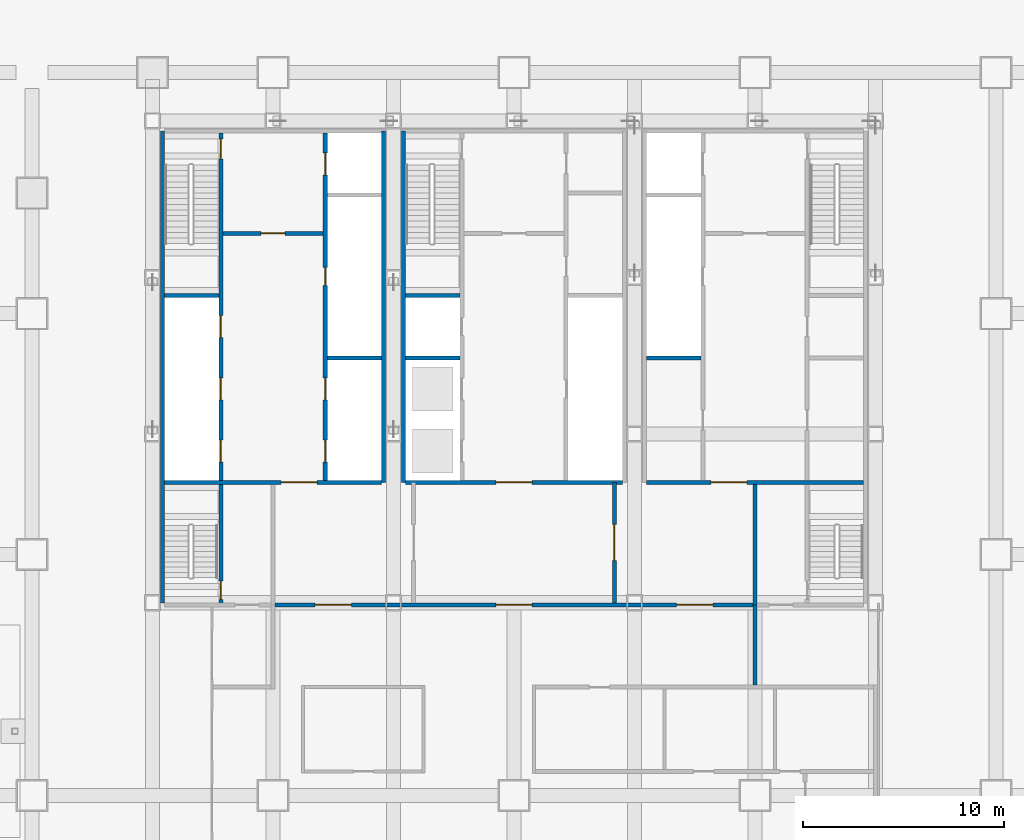
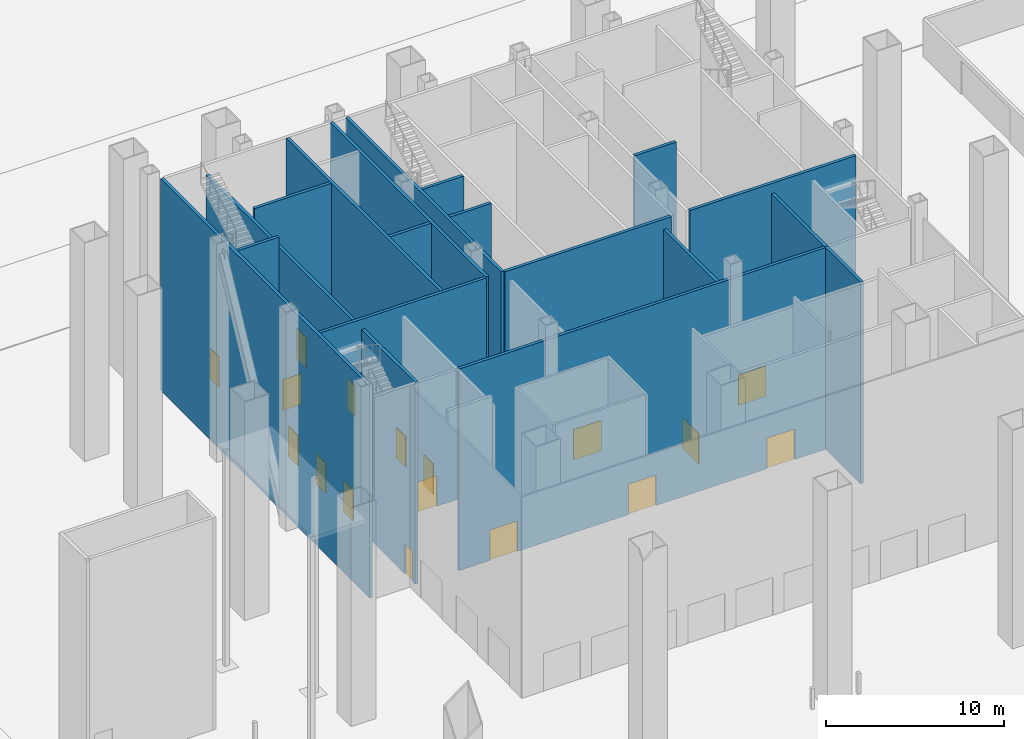
# One storey, part 7 of 22: 18 walls, 17 doors, 17 openings.
"""IFC4 building model written with IfcOpenShell, lengths in metres."""

from ifc_helpers import new_model, si_unit, direction, frame, frame_2d, origin, place, context, subcontext, project, spatial, rectangle, extrude, material, layer, layer_set, type_object, element, fill, save


model = new_model("IFC4")

# Units and contexts
model_context = context("Model", 3, precision=1e-05, world=origin(), true_north=direction((0.0, 1.0)))
body_context = subcontext(model_context, "Body", "Model", "MODEL_VIEW")
ifc_project = project(units=[si_unit("LENGTHUNIT", "METRE"), si_unit("AREAUNIT", "SQUARE_METRE"), si_unit("VOLUMEUNIT", "CUBIC_METRE"), si_unit("PLANEANGLEUNIT", "RADIAN"), si_unit("MASSUNIT", "GRAM", prefix="KILO")], contexts=[model_context])

# Site, building, storey
site_placement = place(None, origin())
site = spatial("IfcSite", under=ifc_project, at=site_placement, CompositionType="ELEMENT")
building_placement = place(site_placement, origin())
building = spatial("IfcBuilding", under=site, at=building_placement, Name="Sorahane Residences", CompositionType="ELEMENT")
storey_placement = place(building_placement, origin())
storey = spatial("IfcBuildingStorey", under=building, at=storey_placement, Name="L00", CompositionType="ELEMENT", Elevation=0.0)

# Walls
ifc_material_1 = material(Name="Concrete C30", Category="concrete")
ifc_layer_1 = layer(ifc_material_1, 0.199951171875)
ifc_layer_set_1 = layer_set([ifc_layer_1], Name="Core face wall 200 EI 180")
wall_type_1 = type_object("IfcWallType", Name="Core face wall 200 EI 180", PredefinedType="SOLIDWALL", material=ifc_layer_set_1)
wall_1_placement = place(storey_placement, frame((6.5, 21.60009765625, 0.0), z_axis=(0.0, 0.0, 1.0), x_axis=(0.0, 1.0, 0.0)))
element("IfcWall", 1, at=wall_1_placement, inside=storey, type_object=wall_type_1, Name="L00 core face wall", PredefinedType="SOLIDWALL", context=body_context, shape_type="SweptSolid", body=[
    extrude(rectangle(XDim=23.5, YDim=0.199951171875, at=frame_2d((11.75, 0.0))), origin(), (0.0, 0.0, 1.0), 14.550048828125),
])
for number, where, z_axis, x_axis, name in (
    (2, (17.5, 27.60009765625, 0.0), (0.0, 0.0, 1.0), (0.0, 1.0, 0.0), "L00 core face wall"),
    (3, (18.5, 27.60009765625, 0.0), (0.0, 0.0, 1.0), (0.0, 1.0, 0.0), "L00 core face wall"),
):
    element("IfcWall", number, at=place(storey_placement, frame(where, z_axis=z_axis, x_axis=x_axis)), inside=storey, type_object=wall_type_1, Name=name, PredefinedType="SOLIDWALL", context=body_context, shape_type="SweptSolid", body=[
        extrude(rectangle(XDim=17.5, YDim=0.199951171875, at=frame_2d((8.75, 0.0))), origin(), (0.0, 0.0, 1.0), 14.550048828125),
    ])
ifc_material_2 = material(Name="Concrete blockwork C20 wall", Category="masonry")
ifc_layer_2 = layer(ifc_material_2, 0.199951171875)
ifc_layer_set_2 = layer_set([ifc_layer_2], Name="Fire wall 200 EI 120")
wall_type_2 = type_object("IfcWallType", Name="Fire wall 200 EI 120", PredefinedType="SOLIDWALL", material=ifc_layer_set_2)
wall_2_placement = place(storey_placement, frame((36.0, 17.5, 0.0), z_axis=(0.0, 0.0, 1.0), x_axis=(0.0, 1.0, 0.0)))
element("IfcWall", 4, at=wall_2_placement, inside=storey, type_object=wall_type_2, Name="L00 fire wall", PredefinedType="SOLIDWALL", context=body_context, shape_type="SweptSolid", body=[
    extrude(rectangle(XDim=4.0, YDim=0.199951171875, at=frame_2d((2.0, 0.0))), origin(), (0.0, 0.0, 1.0), 13.85009765625),
])
ifc_material_3 = material(Name="Concrete C30", Category="concrete")
ifc_layer_3 = layer(ifc_material_3, 0.199951171875)
ifc_layer_set_3 = layer_set([ifc_layer_3], Name="Front room wall 200 EI 120")
wall_type_3 = type_object("IfcWallType", Name="Front room wall 200 EI 120", PredefinedType="PARTITIONING", material=ifc_layer_set_3)
wall_3_placement = place(storey_placement, frame((36.0, 21.5, 0.0), z_axis=(0.0, 0.0, 1.0), x_axis=(0.0, 1.0, 0.0)))
element("IfcWall", 5, at=wall_3_placement, inside=storey, type_object=wall_type_3, Name="L00 front room wall", PredefinedType="PARTITIONING", context=body_context, shape_type="SweptSolid", body=[
    extrude(rectangle(XDim=6.0, YDim=0.199951171875, at=frame_2d((3.0, 0.0))), origin(), (0.0, 0.0, 1.0), 13.85009765625),
])

# Wall, opening, door
wall_4_placement = place(storey_placement, frame((9.5, 40.0, 0.0), z_axis=(0.0, 0.0, 1.0), x_axis=(1.0, 0.0, 0.0)))
wall_4 = element("IfcWall", 6, at=wall_4_placement, inside=storey, type_object=wall_type_3, Name="L00 front room wall", PredefinedType="PARTITIONING", context=body_context, shape_type="SweptSolid", body=[
    extrude(rectangle(XDim=5.0, YDim=0.199951171875, at=frame_2d((2.5, 0.0))), origin(), (0.0, 0.0, 1.0), 14.550048828125),
])
opening_1_placement = place(wall_4_placement, frame((1.89990234375, 0.0, 0.0)))
opening_1 = element("IfcOpeningElement", 7, at=opening_1_placement, cuts=wall_4, Name="Opening L00-C09", PredefinedType="OPENING", context=body_context, shape_type="SweptSolid", body=[
    extrude(rectangle(XDim=1.199951171875, YDim=2.10009765625, at=frame_2d((0.60009765625, 1.050048828125))), frame((0.0, 0.10986328125, 0.0), z_axis=(0.0, -1.0, 0.0), x_axis=(1.0, 0.0, 0.0)), (0.0, 0.0, 1.0), 0.219970703125),
])
ifc_material_4 = material(Name="Steel", Category="steel")
door_type_1 = type_object("IfcDoorType", Name="Front room door 1200x2100 FD120", OperationType="NOTDEFINED", PredefinedType="DOOR", material=ifc_material_4)
door_1_placement = place(opening_1_placement, frame((1.199951171875, 0.0, 0.0), z_axis=(0.0, 0.0, 1.0), x_axis=(-1.0, 0.0, 0.0)))
door_1 = element("IfcDoor", 8, at=door_1_placement, inside=storey, type_object=door_type_1, Name="Front room door Firefighting lobby FF1 front room L00", OperationType="DOUBLE_DOOR_SINGLE_SWING", OverallHeight=2.10009765625, OverallWidth=1.199951171875, PredefinedType="DOOR", context=body_context, shape_type="SweptSolid", body=[
    extrude(rectangle(XDim=1.199951171875, YDim=2.10009765625, at=frame_2d((0.60009765625, 1.050048828125))), frame((0.0, 0.02490234375, 0.0), z_axis=(0.0, -1.0, 0.0), x_axis=(1.0, 0.0, 0.0)), (0.0, 0.0, 1.0), 0.050048828125),
])
fill(opening_1, door_1)

# Wall, openings, doors
ifc_material_5 = material(Name="Concrete C30", Category="concrete")
ifc_layer_4 = layer(ifc_material_5, 0.199951171875)
ifc_layer_set_4 = layer_set([ifc_layer_4], Name="Lift shaft wall 200 EI 120")
wall_type_4 = type_object("IfcWallType", Name="Lift shaft wall 200 EI 120", PredefinedType="SOLIDWALL", material=ifc_layer_set_4)
wall_5_placement = place(storey_placement, frame((14.60009765625, 27.699951171875, 0.0), z_axis=(0.0, 0.0, 1.0), x_axis=(0.0, 1.0, 0.0)))
wall_5 = element("IfcWall", 9, at=wall_5_placement, inside=storey, type_object=wall_type_4, Name="L00 lift shaft wall", PredefinedType="SOLIDWALL", context=body_context, shape_type="SweptSolid", body=[
    extrude(rectangle(XDim=17.300048828125, YDim=0.199951171875, at=frame_2d((8.64990234375, 0.0))), origin(), (0.0, 0.0, 1.0), 14.550048828125),
])
opening_2_placement = place(wall_5_placement, frame((0.89990234375, 0.0, 0.0)))
opening_2 = element("IfcOpeningElement", 10, at=opening_2_placement, cuts=wall_5, Name="Opening L00-C17", PredefinedType="OPENING", context=body_context, shape_type="SweptSolid", body=[
    extrude(rectangle(XDim=1.10009765625, YDim=2.10009765625, at=frame_2d((0.550048828125, 1.050048828125))), frame((0.0, 0.10986328125, 0.0), z_axis=(0.0, -1.0, 0.0), x_axis=(1.0, 0.0, 0.0)), (0.0, 0.0, 1.0), 0.219970703125),
])
opening_3_placement = place(wall_5_placement, frame((4.0, 0.0, 0.0)))
opening_3 = element("IfcOpeningElement", 11, at=opening_3_placement, cuts=wall_5, Name="Opening L00-C18", PredefinedType="OPENING", context=body_context, shape_type="SweptSolid", body=[
    extrude(rectangle(XDim=1.10009765625, YDim=2.10009765625, at=frame_2d((0.550048828125, 1.050048828125))), frame((0.0, 0.10986328125, 0.0), z_axis=(0.0, -1.0, 0.0), x_axis=(1.0, 0.0, 0.0)), (0.0, 0.0, 1.0), 0.219970703125),
])
opening_4_placement = place(wall_5_placement, frame((15.199951171875, 0.0, 0.0)))
opening_4 = element("IfcOpeningElement", 12, at=opening_4_placement, cuts=wall_5, Name="Opening L00-C19", PredefinedType="OPENING", context=body_context, shape_type="SweptSolid", body=[
    extrude(rectangle(XDim=1.10009765625, YDim=2.10009765625, at=frame_2d((0.550048828125, 1.050048828125))), frame((0.0, 0.10986328125, 0.0), z_axis=(0.0, -1.0, 0.0), x_axis=(1.0, 0.0, 0.0)), (0.0, 0.0, 1.0), 0.219970703125),
])
opening_5_placement = place(wall_5_placement, frame((9.699951171875, 0.0, 0.0)))
opening_5 = element("IfcOpeningElement", 13, at=opening_5_placement, cuts=wall_5, Name="Opening L00-C31", PredefinedType="OPENING", context=body_context, shape_type="SweptSolid", body=[
    extrude(rectangle(XDim=0.89990234375, YDim=2.10009765625, at=frame_2d((0.449951171875, 1.050048828125))), frame((0.0, 0.10986328125, 0.0), z_axis=(0.0, -1.0, 0.0), x_axis=(1.0, 0.0, 0.0)), (0.0, 0.0, 1.0), 0.219970703125),
])
ifc_material_6 = material(Name="Aluminium and stainless steel", Category="steel")
door_type_2 = type_object("IfcDoorType", Name="Lift landing door 1100x2100 E 60", OperationType="NOTDEFINED", PredefinedType="DOOR", material=ifc_material_6)
door_2_placement = place(opening_2_placement, origin())
door_2 = element("IfcDoor", 14, at=door_2_placement, inside=storey, type_object=door_type_2, Name="Lift landing door LR4 L00", OperationType="DOUBLE_DOOR_SLIDING", OverallHeight=2.10009765625, OverallWidth=1.10009765625, PredefinedType="DOOR", context=body_context, shape_type="SweptSolid", body=[
    extrude(rectangle(XDim=1.10009765625, YDim=2.10009765625, at=frame_2d((0.550048828125, 1.050048828125))), frame((0.0, 0.02490234375, 0.0), z_axis=(0.0, -1.0, 0.0), x_axis=(1.0, 0.0, 0.0)), (0.0, 0.0, 1.0), 0.050048828125),
])
fill(opening_2, door_2)
door_3_placement = place(opening_3_placement, origin())
door_3 = element("IfcDoor", 15, at=door_3_placement, inside=storey, type_object=door_type_2, Name="Lift landing door LR5 L00", OperationType="DOUBLE_DOOR_SLIDING", OverallHeight=2.10009765625, OverallWidth=1.10009765625, PredefinedType="DOOR", context=body_context, shape_type="SweptSolid", body=[
    extrude(rectangle(XDim=1.10009765625, YDim=2.10009765625, at=frame_2d((0.550048828125, 1.050048828125))), frame((0.0, 0.02490234375, 0.0), z_axis=(0.0, -1.0, 0.0), x_axis=(1.0, 0.0, 0.0)), (0.0, 0.0, 1.0), 0.050048828125),
])
fill(opening_3, door_3)
door_4_placement = place(opening_4_placement, origin())
door_4 = element("IfcDoor", 16, at=door_4_placement, inside=storey, type_object=door_type_2, Name="Lift landing door FF1 L00", OperationType="DOUBLE_DOOR_SLIDING", OverallHeight=2.10009765625, OverallWidth=1.10009765625, PredefinedType="DOOR", context=body_context, shape_type="SweptSolid", body=[
    extrude(rectangle(XDim=1.10009765625, YDim=2.10009765625, at=frame_2d((0.550048828125, 1.050048828125))), frame((0.0, 0.02490234375, 0.0), z_axis=(0.0, -1.0, 0.0), x_axis=(1.0, 0.0, 0.0)), (0.0, 0.0, 1.0), 0.050048828125),
])
fill(opening_4, door_4)
ifc_material_7 = material(Name="Steel", Category="steel")
door_type_3 = type_object("IfcDoorType", Name="Riser door 900x2100 FD120", OperationType="NOTDEFINED", PredefinedType="DOOR", material=ifc_material_7)
door_5_placement = place(opening_5_placement, origin())
door_5 = element("IfcDoor", 17, at=door_5_placement, inside=storey, type_object=door_type_3, Name="Riser door R1 L00", OperationType="SINGLE_SWING_LEFT", OverallHeight=2.10009765625, OverallWidth=0.89990234375, PredefinedType="DOOR", context=body_context, shape_type="SweptSolid", body=[
    extrude(rectangle(XDim=0.89990234375, YDim=2.10009765625, at=frame_2d((0.449951171875, 1.050048828125))), frame((0.0, 0.02490234375, 0.0), z_axis=(0.0, -1.0, 0.0), x_axis=(1.0, 0.0, 0.0)), (0.0, 0.0, 1.0), 0.050048828125),
])
fill(opening_5, door_5)

# Wall, opening, door
wall_6_placement = place(storey_placement, frame((18.60009765625, 27.60009765625, 0.0), z_axis=(0.0, 0.0, 1.0), x_axis=(1.0, 0.0, 0.0)))
wall_6 = element("IfcWall", 18, at=wall_6_placement, inside=storey, type_object=wall_type_4, Name="L00 lift shaft wall", PredefinedType="SOLIDWALL", context=body_context, shape_type="SweptSolid", body=[
    extrude(rectangle(XDim=10.7998046875, YDim=0.199951171875, at=frame_2d((5.39990234375, 0.0))), origin(), (0.0, 0.0, 1.0), 14.550048828125),
])
opening_6_placement = place(wall_6_placement, frame((4.5, 0.0, 0.0)))
opening_6 = element("IfcOpeningElement", 19, at=opening_6_placement, cuts=wall_6, Name="Opening L00-C10", PredefinedType="OPENING", context=body_context, shape_type="SweptSolid", body=[
    extrude(rectangle(XDim=1.800048828125, YDim=2.10009765625, at=frame_2d((0.89990234375, 1.050048828125))), frame((0.0, 0.10986328125, 0.0), z_axis=(0.0, -1.0, 0.0), x_axis=(1.0, 0.0, 0.0)), (0.0, 0.0, 1.0), 0.219970703125),
])
ifc_material_8 = material(Name="Steel", Category="steel")
door_type_4 = type_object("IfcDoorType", Name="Waiting hall door 1800x2100 FD60", OperationType="NOTDEFINED", PredefinedType="DOOR", material=ifc_material_8)
door_6_placement = place(opening_6_placement, frame((1.800048828125, 0.0, 0.0), z_axis=(0.0, 0.0, 1.0), x_axis=(-1.0, 0.0, 0.0)))
door_6 = element("IfcDoor", 20, at=door_6_placement, inside=storey, type_object=door_type_4, Name="Waiting hall door Shuttle lobby L00", OperationType="SINGLE_SWING_LEFT", OverallHeight=2.10009765625, OverallWidth=1.800048828125, PredefinedType="DOOR", context=body_context, shape_type="SweptSolid", body=[
    extrude(rectangle(XDim=1.800048828125, YDim=2.10009765625, at=frame_2d((0.89990234375, 1.050048828125))), frame((0.0, 0.02490234375, 0.0), z_axis=(0.0, -1.0, 0.0), x_axis=(1.0, 0.0, 0.0)), (0.0, 0.0, 1.0), 0.050048828125),
])
fill(opening_6, door_6)

# Walls
for number, where, z_axis, x_axis, name in (
    (21, (14.699951171875, 33.800048828125, 0.0), (0.0, 0.0, 1.0), (1.0, 0.0, 0.0), "L00 lift shaft wall"),
    (22, (18.60009765625, 33.800048828125, 0.0), (0.0, 0.0, 1.0), (1.0, 0.0, 0.0), "L00 lift shaft wall"),
):
    element("IfcWall", number, at=place(storey_placement, frame(where, z_axis=z_axis, x_axis=x_axis)), inside=storey, type_object=wall_type_4, Name=name, PredefinedType="SOLIDWALL", context=body_context, shape_type="SweptSolid", body=[
        extrude(rectangle(XDim=2.699951171875, YDim=0.199951171875, at=frame_2d((1.35009765625, 0.0))), origin(), (0.0, 0.0, 1.0), 14.550048828125),
    ])
ifc_material_9 = material(Name="Concrete C30", Category="concrete")
ifc_layer_5 = layer(ifc_material_9, 0.199951171875)
ifc_layer_set_5 = layer_set([ifc_layer_5], Name="Riser shaft wall 200 EI 120")
wall_type_5 = type_object("IfcWallType", Name="Riser shaft wall 200 EI 120", PredefinedType="SOLIDWALL", material=ifc_layer_set_5)
wall_7_placement = place(storey_placement, frame((30.60009765625, 33.800048828125, 0.0), z_axis=(0.0, 0.0, 1.0), x_axis=(1.0, 0.0, 0.0)))
element("IfcWall", 23, at=wall_7_placement, inside=storey, type_object=wall_type_5, Name="L00 riser wall", PredefinedType="SOLIDWALL", context=body_context, shape_type="SweptSolid", body=[
    extrude(rectangle(XDim=2.699951171875, YDim=0.199951171875, at=frame_2d((1.35009765625, 0.0))), origin(), (0.0, 0.0, 1.0), 14.550048828125),
])

# Wall, opening, door
ifc_material_10 = material(Name="Concrete C30", Category="concrete")
ifc_layer_6 = layer(ifc_material_10, 0.199951171875)
ifc_layer_set_6 = layer_set([ifc_layer_6], Name="Service room partition 200 EI 60")
wall_type_6 = type_object("IfcWallType", Name="Service room partition 200 EI 60", PredefinedType="PARTITIONING", material=ifc_layer_set_6)
wall_8_placement = place(storey_placement, frame((29.0, 21.60009765625, 0.0), z_axis=(0.0, 0.0, 1.0), x_axis=(0.0, 1.0, 0.0)))
wall_8 = element("IfcWall", 24, at=wall_8_placement, inside=storey, type_object=wall_type_6, Name="L00 service room wall", PredefinedType="PARTITIONING", context=body_context, shape_type="SweptSolid", body=[
    extrude(rectangle(XDim=6.0, YDim=0.199951171875, at=frame_2d((3.0, 0.0))), origin(), (0.0, 0.0, 1.0), 13.85009765625),
])
opening_7_placement = place(wall_8_placement, frame((2.10009765625, 0.0, 0.0)))
opening_7 = element("IfcOpeningElement", 25, at=opening_7_placement, cuts=wall_8, Name="Opening L00-C04", PredefinedType="OPENING", context=body_context, shape_type="SweptSolid", body=[
    extrude(rectangle(XDim=1.800048828125, YDim=2.10009765625, at=frame_2d((0.89990234375, 1.050048828125))), frame((0.0, 0.10986328125, 0.0), z_axis=(0.0, -1.0, 0.0), x_axis=(1.0, 0.0, 0.0)), (0.0, 0.0, 1.0), 0.219970703125),
])
door_7_placement = place(opening_7_placement, origin())
door_7 = element("IfcDoor", 26, at=door_7_placement, inside=storey, type_object=door_type_4, Name="Waiting hall door Residents' waiting hall centre L00", OperationType="SINGLE_SWING_LEFT", OverallHeight=2.10009765625, OverallWidth=1.800048828125, PredefinedType="DOOR", context=body_context, shape_type="SweptSolid", body=[
    extrude(rectangle(XDim=1.800048828125, YDim=2.10009765625, at=frame_2d((0.89990234375, 1.050048828125))), frame((0.0, 0.02490234375, 0.0), z_axis=(0.0, -1.0, 0.0), x_axis=(1.0, 0.0, 0.0)), (0.0, 0.0, 1.0), 0.050048828125),
])
fill(opening_7, door_7)

# Wall, openings, doors
ifc_material_11 = material(Name="Concrete C30", Category="concrete")
ifc_layer_7 = layer(ifc_material_11, 0.199951171875)
ifc_layer_set_7 = layer_set([ifc_layer_7], Name="Stair enclosure wall 200 EI 120")
wall_type_7 = type_object("IfcWallType", Name="Stair enclosure wall 200 EI 120", PredefinedType="SOLIDWALL", material=ifc_layer_set_7)
wall_9_placement = place(storey_placement, frame((9.39990234375, 21.5, 0.0), z_axis=(0.0, 0.0, 1.0), x_axis=(0.0, 1.0, 0.0)))
wall_9 = element("IfcWall", 27, at=wall_9_placement, inside=storey, type_object=wall_type_7, Name="L00 stair enclosure wall", PredefinedType="SOLIDWALL", context=body_context, shape_type="SweptSolid", body=[
    extrude(rectangle(XDim=23.5, YDim=0.199951171875, at=frame_2d((11.75, 0.0))), origin(), (0.0, 0.0, 1.0), 13.85009765625),
])
opening_8_placement = place(wall_9_placement, frame((7.10009765625, 0.0, 0.0)))
opening_8 = element("IfcOpeningElement", 28, at=opening_8_placement, cuts=wall_9, Name="Opening L00-C20", PredefinedType="OPENING", context=body_context, shape_type="SweptSolid", body=[
    extrude(rectangle(XDim=1.10009765625, YDim=2.10009765625, at=frame_2d((0.550048828125, 1.050048828125))), frame((0.0, 0.10986328125, 0.0), z_axis=(0.0, -1.0, 0.0), x_axis=(1.0, 0.0, 0.0)), (0.0, 0.0, 1.0), 0.219970703125),
])
opening_9_placement = place(wall_9_placement, frame((10.199951171875, 0.0, 0.0)))
opening_9 = element("IfcOpeningElement", 29, at=opening_9_placement, cuts=wall_9, Name="Opening L00-C21", PredefinedType="OPENING", context=body_context, shape_type="SweptSolid", body=[
    extrude(rectangle(XDim=1.10009765625, YDim=2.10009765625, at=frame_2d((0.550048828125, 1.050048828125))), frame((0.0, 0.10986328125, 0.0), z_axis=(0.0, -1.0, 0.0), x_axis=(1.0, 0.0, 0.0)), (0.0, 0.0, 1.0), 0.219970703125),
])
opening_10_placement = place(wall_9_placement, frame((13.300048828125, 0.0, 0.0)))
opening_10 = element("IfcOpeningElement", 30, at=opening_10_placement, cuts=wall_9, Name="Opening L00-C22", PredefinedType="OPENING", context=body_context, shape_type="SweptSolid", body=[
    extrude(rectangle(XDim=1.10009765625, YDim=2.10009765625, at=frame_2d((0.550048828125, 1.050048828125))), frame((0.0, 0.10986328125, 0.0), z_axis=(0.0, -1.0, 0.0), x_axis=(1.0, 0.0, 0.0)), (0.0, 0.0, 1.0), 0.219970703125),
])
opening_11_placement = place(wall_9_placement, frame((22.199951171875, 0.0, 0.0)))
opening_11 = element("IfcOpeningElement", 31, at=opening_11_placement, cuts=wall_9, Name="Opening L00-C26", PredefinedType="OPENING", context=body_context, shape_type="SweptSolid", body=[
    extrude(rectangle(XDim=1.0, YDim=2.10009765625, at=frame_2d((0.5, 1.050048828125))), frame((0.0, 0.10986328125, 0.0), z_axis=(0.0, -1.0, 0.0), x_axis=(1.0, 0.0, 0.0)), (0.0, 0.0, 1.0), 0.219970703125),
])
opening_12_placement = place(wall_9_placement, frame((0.27490234375, 0.0, 0.0)))
opening_12 = element("IfcOpeningElement", 32, at=opening_12_placement, cuts=wall_9, Name="Opening L00-C29", PredefinedType="OPENING", context=body_context, shape_type="SweptSolid", body=[
    extrude(rectangle(XDim=0.89990234375, YDim=2.10009765625, at=frame_2d((0.449951171875, 1.050048828125))), frame((0.0, 0.10986328125, 0.0), z_axis=(0.0, -1.0, 0.0), x_axis=(1.0, 0.0, 0.0)), (0.0, 0.0, 1.0), 0.219970703125),
])
door_8_placement = place(opening_8_placement, origin())
door_8 = element("IfcDoor", 33, at=door_8_placement, inside=storey, type_object=door_type_2, Name="Lift landing door LR1 L00", OperationType="DOUBLE_DOOR_SLIDING", OverallHeight=2.10009765625, OverallWidth=1.10009765625, PredefinedType="DOOR", context=body_context, shape_type="SweptSolid", body=[
    extrude(rectangle(XDim=1.10009765625, YDim=2.10009765625, at=frame_2d((0.550048828125, 1.050048828125))), frame((0.0, 0.02490234375, 0.0), z_axis=(0.0, -1.0, 0.0), x_axis=(1.0, 0.0, 0.0)), (0.0, 0.0, 1.0), 0.050048828125),
])
fill(opening_8, door_8)
door_9_placement = place(opening_9_placement, origin())
door_9 = element("IfcDoor", 34, at=door_9_placement, inside=storey, type_object=door_type_2, Name="Lift landing door LR2 L00", OperationType="DOUBLE_DOOR_SLIDING", OverallHeight=2.10009765625, OverallWidth=1.10009765625, PredefinedType="DOOR", context=body_context, shape_type="SweptSolid", body=[
    extrude(rectangle(XDim=1.10009765625, YDim=2.10009765625, at=frame_2d((0.550048828125, 1.050048828125))), frame((0.0, 0.02490234375, 0.0), z_axis=(0.0, -1.0, 0.0), x_axis=(1.0, 0.0, 0.0)), (0.0, 0.0, 1.0), 0.050048828125),
])
fill(opening_9, door_9)
door_10_placement = place(opening_10_placement, origin())
door_10 = element("IfcDoor", 35, at=door_10_placement, inside=storey, type_object=door_type_2, Name="Lift landing door LR3 L00", OperationType="DOUBLE_DOOR_SLIDING", OverallHeight=2.10009765625, OverallWidth=1.10009765625, PredefinedType="DOOR", context=body_context, shape_type="SweptSolid", body=[
    extrude(rectangle(XDim=1.10009765625, YDim=2.10009765625, at=frame_2d((0.550048828125, 1.050048828125))), frame((0.0, 0.02490234375, 0.0), z_axis=(0.0, -1.0, 0.0), x_axis=(1.0, 0.0, 0.0)), (0.0, 0.0, 1.0), 0.050048828125),
])
fill(opening_10, door_10)
ifc_material_12 = material(Name="Steel", Category="steel")
door_type_5 = type_object("IfcDoorType", Name="Stair door 1000x2100 FD120", OperationType="NOTDEFINED", PredefinedType="DOOR", material=ifc_material_12)
door_11_placement = place(opening_11_placement, origin())
door_11 = element("IfcDoor", 36, at=door_11_placement, inside=storey, type_object=door_type_5, Name="Stair door S1 L00", OperationType="SINGLE_SWING_LEFT", OverallHeight=2.10009765625, OverallWidth=1.0, PredefinedType="DOOR", context=body_context, shape_type="SweptSolid", body=[
    extrude(rectangle(XDim=1.0, YDim=2.10009765625, at=frame_2d((0.5, 1.050048828125))), frame((0.0, 0.02490234375, 0.0), z_axis=(0.0, -1.0, 0.0), x_axis=(1.0, 0.0, 0.0)), (0.0, 0.0, 1.0), 0.050048828125),
])
fill(opening_11, door_11)
ifc_material_13 = material(Name="Steel", Category="steel")
door_type_6 = type_object("IfcDoorType", Name="Stair door 900x2100 FD120", OperationType="NOTDEFINED", PredefinedType="DOOR", material=ifc_material_13)
door_12_placement = place(opening_12_placement, origin())
door_12 = element("IfcDoor", 37, at=door_12_placement, inside=storey, type_object=door_type_6, Name="Stair door S4 L00", OperationType="SINGLE_SWING_LEFT", OverallHeight=2.10009765625, OverallWidth=0.89990234375, PredefinedType="DOOR", context=body_context, shape_type="SweptSolid", body=[
    extrude(rectangle(XDim=0.89990234375, YDim=2.10009765625, at=frame_2d((0.449951171875, 1.050048828125))), frame((0.0, 0.02490234375, 0.0), z_axis=(0.0, -1.0, 0.0), x_axis=(1.0, 0.0, 0.0)), (0.0, 0.0, 1.0), 0.050048828125),
])
fill(opening_12, door_12)

# Wall, opening, door
wall_10_placement = place(storey_placement, frame((30.60009765625, 27.60009765625, 0.0), z_axis=(0.0, 0.0, 1.0), x_axis=(1.0, 0.0, 0.0)))
wall_10 = element("IfcWall", 38, at=wall_10_placement, inside=storey, type_object=wall_type_7, Name="L00 stair enclosure wall", PredefinedType="SOLIDWALL", context=body_context, shape_type="SweptSolid", body=[
    extrude(rectangle(XDim=10.7998046875, YDim=0.199951171875, at=frame_2d((5.39990234375, 0.0))), origin(), (0.0, 0.0, 1.0), 14.550048828125),
])
opening_13_placement = place(wall_10_placement, frame((3.199951171875, 0.0, 0.0)))
opening_13 = element("IfcOpeningElement", 39, at=opening_13_placement, cuts=wall_10, Name="Opening L00-C12", PredefinedType="OPENING", context=body_context, shape_type="SweptSolid", body=[
    extrude(rectangle(XDim=1.800048828125, YDim=2.10009765625, at=frame_2d((0.89990234375, 1.050048828125))), frame((0.0, 0.10986328125, 0.0), z_axis=(0.0, -1.0, 0.0), x_axis=(1.0, 0.0, 0.0)), (0.0, 0.0, 1.0), 0.219970703125),
])
door_13_placement = place(opening_13_placement, frame((1.800048828125, 0.0, 0.0), z_axis=(0.0, 0.0, 1.0), x_axis=(-1.0, 0.0, 0.0)))
door_13 = element("IfcDoor", 40, at=door_13_placement, inside=storey, type_object=door_type_4, Name="Waiting hall door High-rise lift lobby L00", OperationType="SINGLE_SWING_LEFT", OverallHeight=2.10009765625, OverallWidth=1.800048828125, PredefinedType="DOOR", context=body_context, shape_type="SweptSolid", body=[
    extrude(rectangle(XDim=1.800048828125, YDim=2.10009765625, at=frame_2d((0.89990234375, 1.050048828125))), frame((0.0, 0.02490234375, 0.0), z_axis=(0.0, -1.0, 0.0), x_axis=(1.0, 0.0, 0.0)), (0.0, 0.0, 1.0), 0.050048828125),
])
fill(opening_13, door_13)

wall_11_placement = place(storey_placement, frame((6.60009765625, 27.60009765625, 0.0), z_axis=(0.0, 0.0, 1.0), x_axis=(1.0, 0.0, 0.0)))
wall_11 = element("IfcWall", 41, at=wall_11_placement, inside=storey, type_object=wall_type_7, Name="L00 stair enclosure wall", PredefinedType="SOLIDWALL", context=body_context, shape_type="SweptSolid", body=[
    extrude(rectangle(XDim=10.7998046875, YDim=0.199951171875, at=frame_2d((5.39990234375, 0.0))), origin(), (0.0, 0.0, 1.0), 14.550048828125),
])
opening_14_placement = place(wall_11_placement, frame((5.800048828125, 0.0, 0.0)))
opening_14 = element("IfcOpeningElement", 42, at=opening_14_placement, cuts=wall_11, Name="Opening L00-C08", PredefinedType="OPENING", context=body_context, shape_type="SweptSolid", body=[
    extrude(rectangle(XDim=1.800048828125, YDim=2.10009765625, at=frame_2d((0.89990234375, 1.050048828125))), frame((0.0, 0.10986328125, 0.0), z_axis=(0.0, -1.0, 0.0), x_axis=(1.0, 0.0, 0.0)), (0.0, 0.0, 1.0), 0.219970703125),
])
door_14_placement = place(opening_14_placement, frame((1.800048828125, 0.0, 0.0), z_axis=(0.0, 0.0, 1.0), x_axis=(-1.0, 0.0, 0.0)))
door_14 = element("IfcDoor", 43, at=door_14_placement, inside=storey, type_object=door_type_4, Name="Waiting hall door Low-rise lift lobby L00", OperationType="SINGLE_SWING_LEFT", OverallHeight=2.10009765625, OverallWidth=1.800048828125, PredefinedType="DOOR", context=body_context, shape_type="SweptSolid", body=[
    extrude(rectangle(XDim=1.800048828125, YDim=2.10009765625, at=frame_2d((0.89990234375, 1.050048828125))), frame((0.0, 0.02490234375, 0.0), z_axis=(0.0, -1.0, 0.0), x_axis=(1.0, 0.0, 0.0)), (0.0, 0.0, 1.0), 0.050048828125),
])
fill(opening_14, door_14)

# Walls
for number, where, z_axis, x_axis, name in (
    (44, (18.60009765625, 36.89990234375, 0.0), (0.0, 0.0, 1.0), (1.0, 0.0, 0.0), "L00 stair enclosure wall"),
    (45, (6.60009765625, 36.89990234375, 0.0), (0.0, 0.0, 1.0), (1.0, 0.0, 0.0), "L00 stair enclosure wall"),
):
    element("IfcWall", number, at=place(storey_placement, frame(where, z_axis=z_axis, x_axis=x_axis)), inside=storey, type_object=wall_type_7, Name=name, PredefinedType="SOLIDWALL", context=body_context, shape_type="SweptSolid", body=[
        extrude(rectangle(XDim=2.699951171875, YDim=0.199951171875, at=frame_2d((1.35009765625, 0.0))), origin(), (0.0, 0.0, 1.0), 14.550048828125),
    ])

# Wall, openings, doors
ifc_material_14 = material(Name="Concrete C30", Category="concrete")
ifc_layer_8 = layer(ifc_material_14, 0.199951171875)
ifc_layer_set_8 = layer_set([ifc_layer_8], Name="Waiting hall wall 200 EI 120")
wall_type_8 = type_object("IfcWallType", Name="Waiting hall wall 200 EI 120", PredefinedType="SOLIDWALL", material=ifc_layer_set_8)
wall_12_placement = place(storey_placement, frame((12.10009765625, 21.5, 0.0), z_axis=(0.0, 0.0, 1.0), x_axis=(1.0, 0.0, 0.0)))
wall_12 = element("IfcWall", 46, at=wall_12_placement, inside=storey, type_object=wall_type_8, Name="L00 waiting hall wall", PredefinedType="SOLIDWALL", context=body_context, shape_type="SweptSolid", body=[
    extrude(rectangle(XDim=23.7998046875, YDim=0.199951171875, at=frame_2d((11.89990234375, 0.0))), origin(), (0.0, 0.0, 1.0), 13.85009765625),
])
opening_15_placement = place(wall_12_placement, frame((2.0, 0.0, 0.0)))
opening_15 = element("IfcOpeningElement", 47, at=opening_15_placement, cuts=wall_12, Name="Opening L00-C01", PredefinedType="OPENING", context=body_context, shape_type="SweptSolid", body=[
    extrude(rectangle(XDim=1.800048828125, YDim=2.10009765625, at=frame_2d((0.89990234375, 1.050048828125))), frame((0.0, 0.10986328125, 0.0), z_axis=(0.0, -1.0, 0.0), x_axis=(1.0, 0.0, 0.0)), (0.0, 0.0, 1.0), 0.219970703125),
])
opening_16_placement = place(wall_12_placement, frame((11.0, 0.0, 0.0)))
opening_16 = element("IfcOpeningElement", 48, at=opening_16_placement, cuts=wall_12, Name="Opening L00-C03", PredefinedType="OPENING", context=body_context, shape_type="SweptSolid", body=[
    extrude(rectangle(XDim=1.800048828125, YDim=2.10009765625, at=frame_2d((0.89990234375, 1.050048828125))), frame((0.0, 0.10986328125, 0.0), z_axis=(0.0, -1.0, 0.0), x_axis=(1.0, 0.0, 0.0)), (0.0, 0.0, 1.0), 0.219970703125),
])
opening_17_placement = place(wall_12_placement, frame((20.0, 0.0, 0.0)))
opening_17 = element("IfcOpeningElement", 49, at=opening_17_placement, cuts=wall_12, Name="Opening L00-C05", PredefinedType="OPENING", context=body_context, shape_type="SweptSolid", body=[
    extrude(rectangle(XDim=1.800048828125, YDim=2.10009765625, at=frame_2d((0.89990234375, 1.050048828125))), frame((0.0, 0.10986328125, 0.0), z_axis=(0.0, -1.0, 0.0), x_axis=(1.0, 0.0, 0.0)), (0.0, 0.0, 1.0), 0.219970703125),
])
door_15_placement = place(opening_15_placement, frame((1.800048828125, 0.0, 0.0), z_axis=(0.0, 0.0, 1.0), x_axis=(-1.0, 0.0, 0.0)))
door_15 = element("IfcDoor", 50, at=door_15_placement, inside=storey, type_object=door_type_4, Name="Waiting hall door Residents' waiting hall west L00", OperationType="SINGLE_SWING_RIGHT", OverallHeight=2.10009765625, OverallWidth=1.800048828125, PredefinedType="DOOR", context=body_context, shape_type="SweptSolid", body=[
    extrude(rectangle(XDim=1.800048828125, YDim=2.10009765625, at=frame_2d((0.89990234375, 1.050048828125))), frame((0.0, 0.02490234375, 0.0), z_axis=(0.0, -1.0, 0.0), x_axis=(1.0, 0.0, 0.0)), (0.0, 0.0, 1.0), 0.050048828125),
])
fill(opening_15, door_15)
door_16_placement = place(opening_16_placement, frame((1.800048828125, 0.0, 0.0), z_axis=(0.0, 0.0, 1.0), x_axis=(-1.0, 0.0, 0.0)))
door_16 = element("IfcDoor", 51, at=door_16_placement, inside=storey, type_object=door_type_4, Name="Waiting hall door Residents' waiting hall centre L00", OperationType="SINGLE_SWING_RIGHT", OverallHeight=2.10009765625, OverallWidth=1.800048828125, PredefinedType="DOOR", context=body_context, shape_type="SweptSolid", body=[
    extrude(rectangle(XDim=1.800048828125, YDim=2.10009765625, at=frame_2d((0.89990234375, 1.050048828125))), frame((0.0, 0.02490234375, 0.0), z_axis=(0.0, -1.0, 0.0), x_axis=(1.0, 0.0, 0.0)), (0.0, 0.0, 1.0), 0.050048828125),
])
fill(opening_16, door_16)
door_17_placement = place(opening_17_placement, frame((1.800048828125, 0.0, 0.0), z_axis=(0.0, 0.0, 1.0), x_axis=(-1.0, 0.0, 0.0)))
door_17 = element("IfcDoor", 52, at=door_17_placement, inside=storey, type_object=door_type_4, Name="Waiting hall door Residents' waiting hall east L00", OperationType="SINGLE_SWING_RIGHT", OverallHeight=2.10009765625, OverallWidth=1.800048828125, PredefinedType="DOOR", context=body_context, shape_type="SweptSolid", body=[
    extrude(rectangle(XDim=1.800048828125, YDim=2.10009765625, at=frame_2d((0.89990234375, 1.050048828125))), frame((0.0, 0.02490234375, 0.0), z_axis=(0.0, -1.0, 0.0), x_axis=(1.0, 0.0, 0.0)), (0.0, 0.0, 1.0), 0.050048828125),
])
fill(opening_17, door_17)

save(model, "model.ifc")
